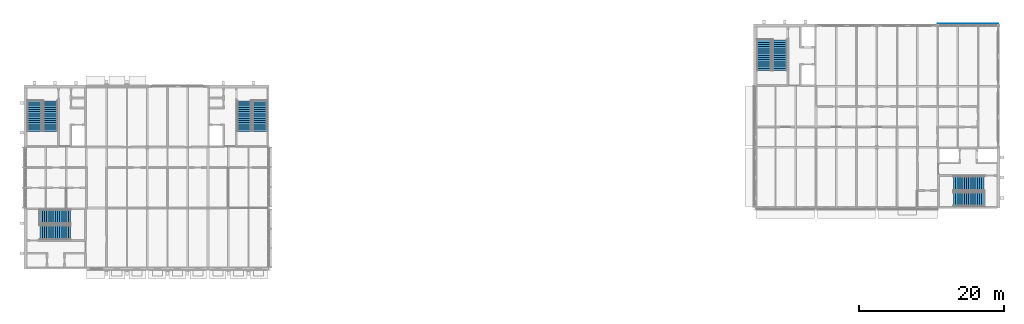
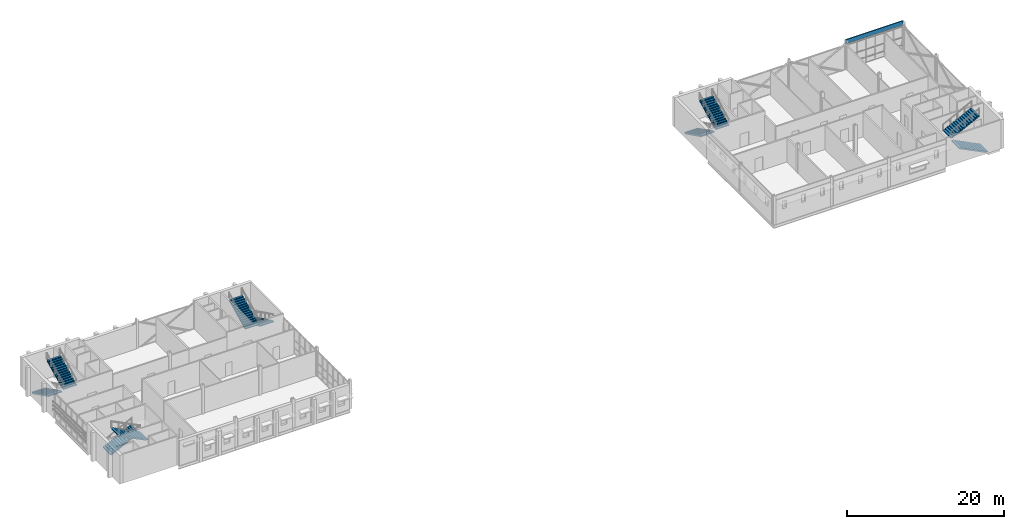
# One storey, part 18 of 22: 10 stair flights, 1 wall, 5 elements without a shape of their own.
"""IFC4 building model written with IfcOpenShell, lengths in metres."""

from ifc_helpers import new_model, si_unit, direction, frame, frame_2d, origin, place, context, subcontext, project, spatial, polyline, rectangle, outline, extrude, material, layer, layer_set, type_object, element, aggregate, save


model = new_model("IFC4")

# Units and contexts
model_context = context("Model", 3, precision=1e-05, world=origin(), true_north=direction((0.0, 1.0)))
body_context = subcontext(model_context, "Body", "Model", "MODEL_VIEW")
ifc_project = project(units=[si_unit("LENGTHUNIT", "METRE"), si_unit("AREAUNIT", "SQUARE_METRE"), si_unit("VOLUMEUNIT", "CUBIC_METRE"), si_unit("PLANEANGLEUNIT", "RADIAN"), si_unit("MASSUNIT", "GRAM", prefix="KILO")], contexts=[model_context])

# Site, building, storey
site_placement = place(None, origin())
site = spatial("IfcSite", under=ifc_project, at=site_placement, CompositionType="ELEMENT")
building_placement = place(site_placement, origin())
building = spatial("IfcBuilding", under=site, at=building_placement, Name="Ardhachandra Cancer Care Centre", CompositionType="ELEMENT")
storey_placement = place(building_placement, frame((0.0, 0.0, 18.0)))
storey = spatial("IfcBuildingStorey", under=building, at=storey_placement, Name="L04", CompositionType="ELEMENT", Elevation=18.0)

# Wall
ifc_material_1 = material(Name="Precast Concrete M30 fascia panel with brick slip facing", Category="masonry")
ifc_layer = layer(ifc_material_1, 0.1298828125)
ifc_layer_set = layer_set([ifc_layer], Name="Precast Concrete M30 fascia panel with brick slip facing")
wall_type = type_object("IfcWallType", Name="Edge beam fascia 130", PredefinedType="SOLIDWALL", material=ifc_layer_set)
wall_placement = place(storey_placement, frame((136.800048828125, 105.159912109375, 3.820068359375), z_axis=(0.0, 0.0, 1.0), x_axis=(1.0, 0.0, 0.0)))
element("IfcWall", 1, at=wall_placement, inside=storey, type_object=wall_type, Name="E/fascia/L04/n/0136800_0105000", PredefinedType="SOLIDWALL", context=body_context, shape_type="SweptSolid", body=[
    extrude(rectangle(XDim=8.39990234375, YDim=0.1298828125, at=frame_2d((4.199951171875, 0.0))), origin(), (0.0, 0.0, 1.0), 0.679931640625),
])

# Stair, stair flights
ifc_material_2 = material(Name="Concrete M40", Category="concrete")
stair_type = type_object("IfcStairType", Name="Dog-leg stair 2000", PredefinedType="HALF_TURN_STAIR", material=ifc_material_2)
stair_1_placement = place(storey_placement, origin())
stair_1 = element("IfcStair", 2, at=stair_1_placement, inside=storey, type_object=stair_type, Name="Stair K4 L04-L05", PredefinedType="HALF_TURN_STAIR")
ifc_material_3 = material(Name="Concrete M40", Category="concrete")
stair_flight_type = type_object("IfcStairFlightType", Name="Stair flight 2000", PredefinedType="STRAIGHT", material=ifc_material_3)
stair_flight_1_placement = place(storey_placement, frame((12.02490234375, 94.60009765625, 0.0), z_axis=(0.0, 0.0, 1.0), x_axis=(0.0, -1.0, 0.0)))
stair_flight_1 = element("IfcStairFlight", 3, at=stair_flight_1_placement, type_object=stair_flight_type, Name="stair K4 L04-L05 flight 1", NumberOfRisers=15, NumberOfTreads=14, PredefinedType="STRAIGHT", RiserHeight=0.15, TreadLength=0.3, context=body_context, shape_type="SweptSolid", body=[
    extrude(outline(polyline([(0.0, 0.0), (0.0, 0.14990234375), (0.300048828125, 0.14990234375), (0.300048828125, 0.300048828125), (0.60009765625, 0.300048828125), (0.60009765625, 0.449951171875), (0.89990234375, 0.449951171875), (0.89990234375, 0.60009765625), (1.199951171875, 0.60009765625), (1.199951171875, 0.75), (1.5, 0.75), (1.5, 0.89990234375), (1.800048828125, 0.89990234375), (1.800048828125, 1.050048828125), (2.10009765625, 1.050048828125), (2.10009765625, 1.199951171875), (2.39990234375, 1.199951171875), (2.39990234375, 1.35009765625), (2.699951171875, 1.35009765625), (2.699951171875, 1.5), (3.0, 1.5), (3.0, 1.64990234375), (3.300048828125, 1.64990234375), (3.300048828125, 1.800048828125), (3.60009765625, 1.800048828125), (3.60009765625, 1.949951171875), (3.89990234375, 1.949951171875), (3.89990234375, 2.10009765625), (4.199951171875, 2.10009765625), (4.199951171875, 2.25), (4.199951171875, 1.932373046875), (0.335205078125, 0.0), (0.0, 0.0)])), frame((0.0, 1.0, 0.0), z_axis=(0.0, -1.0, 0.0), x_axis=(1.0, 0.0, 0.0)), (0.0, 0.0, 1.0), 2.0),
])
stair_flight_2_placement = place(storey_placement, frame((14.22509765625, 90.39990234375, 2.25), z_axis=(0.0, 0.0, 1.0), x_axis=(0.0, 1.0, 0.0)))
stair_flight_2 = element("IfcStairFlight", 4, at=stair_flight_2_placement, type_object=stair_flight_type, Name="stair K4 L04-L05 flight 2", NumberOfRisers=15, NumberOfTreads=14, PredefinedType="STRAIGHT", RiserHeight=0.15, TreadLength=0.3, context=body_context, shape_type="SweptSolid", body=[
    extrude(outline(polyline([(0.0, 0.0), (0.0, 0.14990234375), (0.300048828125, 0.14990234375), (0.300048828125, 0.300048828125), (0.60009765625, 0.300048828125), (0.60009765625, 0.449951171875), (0.89990234375, 0.449951171875), (0.89990234375, 0.60009765625), (1.199951171875, 0.60009765625), (1.199951171875, 0.75), (1.5, 0.75), (1.5, 0.89990234375), (1.800048828125, 0.89990234375), (1.800048828125, 1.050048828125), (2.10009765625, 1.050048828125), (2.10009765625, 1.199951171875), (2.39990234375, 1.199951171875), (2.39990234375, 1.35009765625), (2.699951171875, 1.35009765625), (2.699951171875, 1.5), (3.0, 1.5), (3.0, 1.64990234375), (3.300048828125, 1.64990234375), (3.300048828125, 1.800048828125), (3.60009765625, 1.800048828125), (3.60009765625, 1.949951171875), (3.89990234375, 1.949951171875), (3.89990234375, 2.10009765625), (4.199951171875, 2.10009765625), (4.199951171875, 2.25), (4.199951171875, 1.932373046875), (0.335205078125, 0.0), (0.0, 0.0)])), frame((0.0, 1.0, 0.0), z_axis=(0.0, -1.0, 0.0), x_axis=(1.0, 0.0, 0.0)), (0.0, 0.0, 1.0), 2.0),
])
aggregate(stair_1, [stair_flight_1, stair_flight_2])

stair_2_placement = place(storey_placement, origin())
stair_2 = element("IfcStair", 5, at=stair_2_placement, inside=storey, type_object=stair_type, Name="Stair K5 L04-L05", PredefinedType="HALF_TURN_STAIR")
stair_flight_3_placement = place(storey_placement, frame((43.199951171875, 94.60009765625, 0.0), z_axis=(0.0, 0.0, 1.0), x_axis=(0.0, -1.0, 0.0)))
stair_flight_3 = element("IfcStairFlight", 6, at=stair_flight_3_placement, type_object=stair_flight_type, Name="stair K5 L04-L05 flight 1", NumberOfRisers=15, NumberOfTreads=14, PredefinedType="STRAIGHT", RiserHeight=0.15, TreadLength=0.3, context=body_context, shape_type="SweptSolid", body=[
    extrude(outline(polyline([(0.0, 0.0), (0.0, 0.14990234375), (0.300048828125, 0.14990234375), (0.300048828125, 0.300048828125), (0.60009765625, 0.300048828125), (0.60009765625, 0.449951171875), (0.89990234375, 0.449951171875), (0.89990234375, 0.60009765625), (1.199951171875, 0.60009765625), (1.199951171875, 0.75), (1.5, 0.75), (1.5, 0.89990234375), (1.800048828125, 0.89990234375), (1.800048828125, 1.050048828125), (2.10009765625, 1.050048828125), (2.10009765625, 1.199951171875), (2.39990234375, 1.199951171875), (2.39990234375, 1.35009765625), (2.699951171875, 1.35009765625), (2.699951171875, 1.5), (3.0, 1.5), (3.0, 1.64990234375), (3.300048828125, 1.64990234375), (3.300048828125, 1.800048828125), (3.60009765625, 1.800048828125), (3.60009765625, 1.949951171875), (3.89990234375, 1.949951171875), (3.89990234375, 2.10009765625), (4.199951171875, 2.10009765625), (4.199951171875, 2.25), (4.199951171875, 1.932373046875), (0.335205078125, 0.0), (0.0, 0.0)])), frame((0.0, 1.0, 0.0), z_axis=(0.0, -1.0, 0.0), x_axis=(1.0, 0.0, 0.0)), (0.0, 0.0, 1.0), 2.0),
])
stair_flight_4_placement = place(storey_placement, frame((41.0, 90.39990234375, 2.25), z_axis=(0.0, 0.0, 1.0), x_axis=(0.0, 1.0, 0.0)))
stair_flight_4 = element("IfcStairFlight", 7, at=stair_flight_4_placement, type_object=stair_flight_type, Name="stair K5 L04-L05 flight 2", NumberOfRisers=15, NumberOfTreads=14, PredefinedType="STRAIGHT", RiserHeight=0.15, TreadLength=0.3, context=body_context, shape_type="SweptSolid", body=[
    extrude(outline(polyline([(0.0, 0.0), (0.0, 0.14990234375), (0.300048828125, 0.14990234375), (0.300048828125, 0.300048828125), (0.60009765625, 0.300048828125), (0.60009765625, 0.449951171875), (0.89990234375, 0.449951171875), (0.89990234375, 0.60009765625), (1.199951171875, 0.60009765625), (1.199951171875, 0.75), (1.5, 0.75), (1.5, 0.89990234375), (1.800048828125, 0.89990234375), (1.800048828125, 1.050048828125), (2.10009765625, 1.050048828125), (2.10009765625, 1.199951171875), (2.39990234375, 1.199951171875), (2.39990234375, 1.35009765625), (2.699951171875, 1.35009765625), (2.699951171875, 1.5), (3.0, 1.5), (3.0, 1.64990234375), (3.300048828125, 1.64990234375), (3.300048828125, 1.800048828125), (3.60009765625, 1.800048828125), (3.60009765625, 1.949951171875), (3.89990234375, 1.949951171875), (3.89990234375, 2.10009765625), (4.199951171875, 2.10009765625), (4.199951171875, 2.25), (4.199951171875, 1.932373046875), (0.335205078125, 0.0), (0.0, 0.0)])), frame((0.0, 1.0, 0.0), z_axis=(0.0, -1.0, 0.0), x_axis=(1.0, 0.0, 0.0)), (0.0, 0.0, 1.0), 2.0),
])
aggregate(stair_2, [stair_flight_3, stair_flight_4])

stair_3_placement = place(storey_placement, origin())
stair_3 = element("IfcStair", 8, at=stair_3_placement, inside=storey, type_object=stair_type, Name="Stair K6 L04-L05", PredefinedType="HALF_TURN_STAIR")
stair_flight_5_placement = place(storey_placement, frame((12.800048828125, 78.60009765625, 0.0), z_axis=(0.0, 0.0, 1.0), x_axis=(1.0, 0.0, 0.0)))
stair_flight_5 = element("IfcStairFlight", 9, at=stair_flight_5_placement, type_object=stair_flight_type, Name="stair K6 L04-L05 flight 1", NumberOfRisers=15, NumberOfTreads=14, PredefinedType="STRAIGHT", RiserHeight=0.15, TreadLength=0.3, context=body_context, shape_type="SweptSolid", body=[
    extrude(outline(polyline([(0.0, 0.0), (0.0, 0.14990234375), (0.300048828125, 0.14990234375), (0.300048828125, 0.300048828125), (0.60009765625, 0.300048828125), (0.60009765625, 0.449951171875), (0.89990234375, 0.449951171875), (0.89990234375, 0.60009765625), (1.199951171875, 0.60009765625), (1.199951171875, 0.75), (1.5, 0.75), (1.5, 0.89990234375), (1.800048828125, 0.89990234375), (1.800048828125, 1.050048828125), (2.10009765625, 1.050048828125), (2.10009765625, 1.199951171875), (2.39990234375, 1.199951171875), (2.39990234375, 1.35009765625), (2.699951171875, 1.35009765625), (2.699951171875, 1.5), (3.0, 1.5), (3.0, 1.64990234375), (3.300048828125, 1.64990234375), (3.300048828125, 1.800048828125), (3.60009765625, 1.800048828125), (3.60009765625, 1.949951171875), (3.89990234375, 1.949951171875), (3.89990234375, 2.10009765625), (4.199951171875, 2.10009765625), (4.199951171875, 2.25), (4.199951171875, 1.932373046875), (0.335205078125, 0.0), (0.0, 0.0)])), frame((0.0, 1.0, 0.0), z_axis=(0.0, -1.0, 0.0), x_axis=(1.0, 0.0, 0.0)), (0.0, 0.0, 1.0), 2.0),
])
stair_flight_6_placement = place(storey_placement, frame((17.0, 76.39990234375, 2.25), z_axis=(0.0, 0.0, 1.0), x_axis=(-1.0, 0.0, 0.0)))
stair_flight_6 = element("IfcStairFlight", 10, at=stair_flight_6_placement, type_object=stair_flight_type, Name="stair K6 L04-L05 flight 2", NumberOfRisers=15, NumberOfTreads=14, PredefinedType="STRAIGHT", RiserHeight=0.15, TreadLength=0.3, context=body_context, shape_type="SweptSolid", body=[
    extrude(outline(polyline([(0.0, 0.0), (0.0, 0.14990234375), (0.300048828125, 0.14990234375), (0.300048828125, 0.300048828125), (0.60009765625, 0.300048828125), (0.60009765625, 0.449951171875), (0.89990234375, 0.449951171875), (0.89990234375, 0.60009765625), (1.199951171875, 0.60009765625), (1.199951171875, 0.75), (1.5, 0.75), (1.5, 0.89990234375), (1.800048828125, 0.89990234375), (1.800048828125, 1.050048828125), (2.10009765625, 1.050048828125), (2.10009765625, 1.199951171875), (2.39990234375, 1.199951171875), (2.39990234375, 1.35009765625), (2.699951171875, 1.35009765625), (2.699951171875, 1.5), (3.0, 1.5), (3.0, 1.64990234375), (3.300048828125, 1.64990234375), (3.300048828125, 1.800048828125), (3.60009765625, 1.800048828125), (3.60009765625, 1.949951171875), (3.89990234375, 1.949951171875), (3.89990234375, 2.10009765625), (4.199951171875, 2.10009765625), (4.199951171875, 2.25), (4.199951171875, 1.932373046875), (0.335205078125, 0.0), (0.0, 0.0)])), frame((0.0, 1.0, 0.0), z_axis=(0.0, -1.0, 0.0), x_axis=(1.0, 0.0, 0.0)), (0.0, 0.0, 1.0), 2.0),
])
aggregate(stair_3, [stair_flight_5, stair_flight_6])

stair_4_placement = place(storey_placement, origin())
stair_4 = element("IfcStair", 11, at=stair_4_placement, inside=storey, type_object=stair_type, Name="Stair K12 L04-L05", PredefinedType="HALF_TURN_STAIR")
stair_flight_7_placement = place(storey_placement, frame((112.824951171875, 103.0, 0.0), z_axis=(0.0, 0.0, 1.0), x_axis=(0.0, -1.0, 0.0)))
stair_flight_7 = element("IfcStairFlight", 12, at=stair_flight_7_placement, type_object=stair_flight_type, Name="stair K12 L04-L05 flight 1", NumberOfRisers=15, NumberOfTreads=14, PredefinedType="STRAIGHT", RiserHeight=0.15, TreadLength=0.3, context=body_context, shape_type="SweptSolid", body=[
    extrude(outline(polyline([(0.0, 0.0), (0.0, 0.14990234375), (0.300048828125, 0.14990234375), (0.300048828125, 0.300048828125), (0.60009765625, 0.300048828125), (0.60009765625, 0.449951171875), (0.89990234375, 0.449951171875), (0.89990234375, 0.60009765625), (1.199951171875, 0.60009765625), (1.199951171875, 0.75), (1.5, 0.75), (1.5, 0.89990234375), (1.800048828125, 0.89990234375), (1.800048828125, 1.050048828125), (2.10009765625, 1.050048828125), (2.10009765625, 1.199951171875), (2.39990234375, 1.199951171875), (2.39990234375, 1.35009765625), (2.699951171875, 1.35009765625), (2.699951171875, 1.5), (3.0, 1.5), (3.0, 1.64990234375), (3.300048828125, 1.64990234375), (3.300048828125, 1.800048828125), (3.60009765625, 1.800048828125), (3.60009765625, 1.949951171875), (3.89990234375, 1.949951171875), (3.89990234375, 2.10009765625), (4.199951171875, 2.10009765625), (4.199951171875, 2.25), (4.199951171875, 1.932373046875), (0.335205078125, 0.0), (0.0, 0.0)])), frame((0.0, 1.0, 0.0), z_axis=(0.0, -1.0, 0.0), x_axis=(1.0, 0.0, 0.0)), (0.0, 0.0, 1.0), 2.0),
])
stair_flight_8_placement = place(storey_placement, frame((115.02490234375, 98.800048828125, 2.25), z_axis=(0.0, 0.0, 1.0), x_axis=(0.0, 1.0, 0.0)))
stair_flight_8 = element("IfcStairFlight", 13, at=stair_flight_8_placement, type_object=stair_flight_type, Name="stair K12 L04-L05 flight 2", NumberOfRisers=15, NumberOfTreads=14, PredefinedType="STRAIGHT", RiserHeight=0.15, TreadLength=0.3, context=body_context, shape_type="SweptSolid", body=[
    extrude(outline(polyline([(0.0, 0.0), (0.0, 0.14990234375), (0.300048828125, 0.14990234375), (0.300048828125, 0.300048828125), (0.60009765625, 0.300048828125), (0.60009765625, 0.449951171875), (0.89990234375, 0.449951171875), (0.89990234375, 0.60009765625), (1.199951171875, 0.60009765625), (1.199951171875, 0.75), (1.5, 0.75), (1.5, 0.89990234375), (1.800048828125, 0.89990234375), (1.800048828125, 1.050048828125), (2.10009765625, 1.050048828125), (2.10009765625, 1.199951171875), (2.39990234375, 1.199951171875), (2.39990234375, 1.35009765625), (2.699951171875, 1.35009765625), (2.699951171875, 1.5), (3.0, 1.5), (3.0, 1.64990234375), (3.300048828125, 1.64990234375), (3.300048828125, 1.800048828125), (3.60009765625, 1.800048828125), (3.60009765625, 1.949951171875), (3.89990234375, 1.949951171875), (3.89990234375, 2.10009765625), (4.199951171875, 2.10009765625), (4.199951171875, 2.25), (4.199951171875, 1.932373046875), (0.335205078125, 0.0), (0.0, 0.0)])), frame((0.0, 1.0, 0.0), z_axis=(0.0, -1.0, 0.0), x_axis=(1.0, 0.0, 0.0)), (0.0, 0.0, 1.0), 2.0),
])
aggregate(stair_4, [stair_flight_7, stair_flight_8])

stair_5_placement = place(storey_placement, origin())
stair_5 = element("IfcStair", 14, at=stair_5_placement, inside=storey, type_object=stair_type, Name="Stair K13 L04-L05", PredefinedType="HALF_TURN_STAIR")
stair_flight_9_placement = place(storey_placement, frame((143.199951171875, 81.0, 0.0), z_axis=(0.0, 0.0, 1.0), x_axis=(-1.0, 0.0, 0.0)))
stair_flight_9 = element("IfcStairFlight", 15, at=stair_flight_9_placement, type_object=stair_flight_type, Name="stair K13 L04-L05 flight 1", NumberOfRisers=15, NumberOfTreads=14, PredefinedType="STRAIGHT", RiserHeight=0.15, TreadLength=0.3, context=body_context, shape_type="SweptSolid", body=[
    extrude(outline(polyline([(0.0, 0.0), (0.0, 0.14990234375), (0.300048828125, 0.14990234375), (0.300048828125, 0.300048828125), (0.60009765625, 0.300048828125), (0.60009765625, 0.449951171875), (0.89990234375, 0.449951171875), (0.89990234375, 0.60009765625), (1.199951171875, 0.60009765625), (1.199951171875, 0.75), (1.5, 0.75), (1.5, 0.89990234375), (1.800048828125, 0.89990234375), (1.800048828125, 1.050048828125), (2.10009765625, 1.050048828125), (2.10009765625, 1.199951171875), (2.39990234375, 1.199951171875), (2.39990234375, 1.35009765625), (2.699951171875, 1.35009765625), (2.699951171875, 1.5), (3.0, 1.5), (3.0, 1.64990234375), (3.300048828125, 1.64990234375), (3.300048828125, 1.800048828125), (3.60009765625, 1.800048828125), (3.60009765625, 1.949951171875), (3.89990234375, 1.949951171875), (3.89990234375, 2.10009765625), (4.199951171875, 2.10009765625), (4.199951171875, 2.25), (4.199951171875, 1.932373046875), (0.335205078125, 0.0), (0.0, 0.0)])), frame((0.0, 1.0, 0.0), z_axis=(0.0, -1.0, 0.0), x_axis=(1.0, 0.0, 0.0)), (0.0, 0.0, 1.0), 2.0),
])
stair_flight_10_placement = place(storey_placement, frame((139.0, 83.199951171875, 2.25), z_axis=(0.0, 0.0, 1.0), x_axis=(1.0, 0.0, 0.0)))
stair_flight_10 = element("IfcStairFlight", 16, at=stair_flight_10_placement, type_object=stair_flight_type, Name="stair K13 L04-L05 flight 2", NumberOfRisers=15, NumberOfTreads=14, PredefinedType="STRAIGHT", RiserHeight=0.15, TreadLength=0.3, context=body_context, shape_type="SweptSolid", body=[
    extrude(outline(polyline([(0.0, 0.0), (0.0, 0.14990234375), (0.300048828125, 0.14990234375), (0.300048828125, 0.300048828125), (0.60009765625, 0.300048828125), (0.60009765625, 0.449951171875), (0.89990234375, 0.449951171875), (0.89990234375, 0.60009765625), (1.199951171875, 0.60009765625), (1.199951171875, 0.75), (1.5, 0.75), (1.5, 0.89990234375), (1.800048828125, 0.89990234375), (1.800048828125, 1.050048828125), (2.10009765625, 1.050048828125), (2.10009765625, 1.199951171875), (2.39990234375, 1.199951171875), (2.39990234375, 1.35009765625), (2.699951171875, 1.35009765625), (2.699951171875, 1.5), (3.0, 1.5), (3.0, 1.64990234375), (3.300048828125, 1.64990234375), (3.300048828125, 1.800048828125), (3.60009765625, 1.800048828125), (3.60009765625, 1.949951171875), (3.89990234375, 1.949951171875), (3.89990234375, 2.10009765625), (4.199951171875, 2.10009765625), (4.199951171875, 2.25), (4.199951171875, 1.932373046875), (0.335205078125, 0.0), (0.0, 0.0)])), frame((0.0, 1.0, 0.0), z_axis=(0.0, -1.0, 0.0), x_axis=(1.0, 0.0, 0.0)), (0.0, 0.0, 1.0), 2.0),
])
aggregate(stair_5, [stair_flight_9, stair_flight_10])

save(model, "model.ifc")
